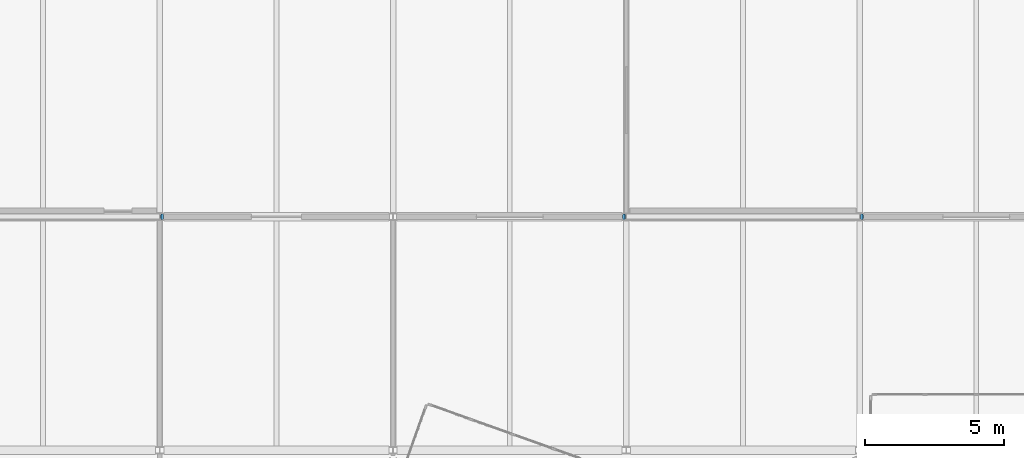
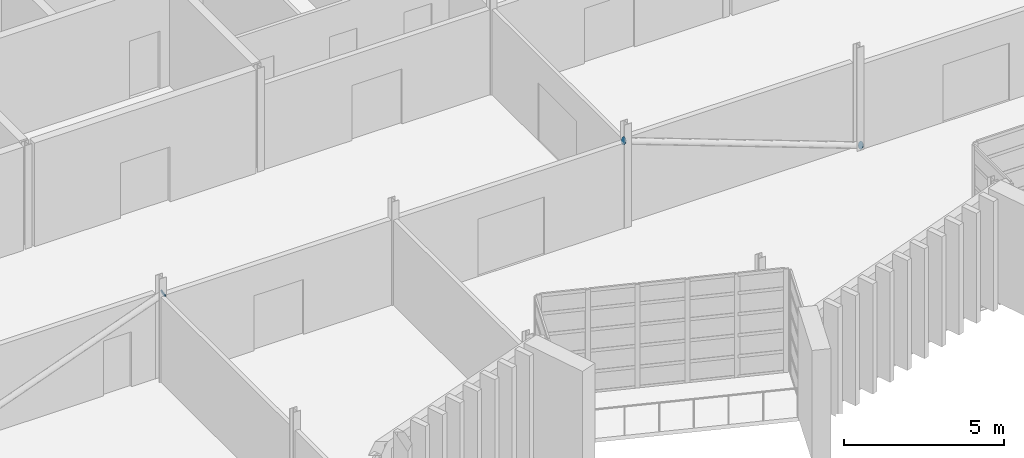
# One storey, part 74 of 88: 3 discrete accessories.
"""IFC4 building model written with IfcOpenShell, lengths in metres."""

from ifc_helpers import new_model, si_unit, direction, frame, origin, origin_2d, place, context, subcontext, project, spatial, circle, extrude, material, layer, layer_set, type_object, element, save


model = new_model("IFC4")

# Units and contexts
model_context = context("Model", 3, precision=1e-05, world=origin(), true_north=direction((0.0, 1.0)))
body_context = subcontext(model_context, "Body", "Model", "MODEL_VIEW")
ifc_project = project(units=[si_unit("LENGTHUNIT", "METRE"), si_unit("AREAUNIT", "SQUARE_METRE"), si_unit("VOLUMEUNIT", "CUBIC_METRE"), si_unit("PLANEANGLEUNIT", "RADIAN"), si_unit("MASSUNIT", "GRAM", prefix="KILO")], contexts=[model_context])

# Site, building, storey
site_placement = place(None, origin())
site = spatial("IfcSite", under=ifc_project, at=site_placement, CompositionType="ELEMENT")
building_placement = place(site_placement, origin())
building = spatial("IfcBuilding", under=site, at=building_placement, Name="Cresset Court Congress Hotel", CompositionType="ELEMENT")
storey_placement = place(building_placement, frame((0.0, 0.0, 14.39990234375)))
storey = spatial("IfcBuildingStorey", under=building, at=storey_placement, Name="L03", CompositionType="ELEMENT", Elevation=14.39990234375)

# Discrete accessories
ifc_material = material(Name="Structural steel Q355B", Category="steel")
ifc_layer = layer(ifc_material, 0.01611328125)
ifc_layer_set = layer_set([ifc_layer], Name="Brace end gusset 219x16")
discrete_accessory_type = type_object("IfcDiscreteAccessoryType", Name="Brace end gusset 219x16", PredefinedType="BRACKET", material=ifc_layer_set)
for number, where, z_axis, x_axis, name in (
    (1, (109.27490234375, 8.39990234375, 3.260009765625), (0.93756621841, 0.0, 0.347806822959), (0.0, 1.0, 0.0), "Brace end gusset L03 13-2"),
    (2, (125.925048828125, 8.39990234375, 3.260009765625), (-0.93756621841, 0.0, 0.347806822959), (0.0, -1.0, 0.0), "Brace end gusset L03 16-1"),
):
    element("IfcDiscreteAccessory", number, at=place(storey_placement, frame(where, z_axis=z_axis, x_axis=x_axis)), inside=storey, type_object=discrete_accessory_type, Name=name, PredefinedType="BRACKET", context=body_context, shape_type="SweptSolid", body=[
        extrude(circle(Radius=0.12939453125, at=origin_2d()), origin(), (0.0, 0.0, 1.0), 0.01611328125),
    ])
discrete_accessory_placement = place(storey_placement, frame((134.47509765625, 8.39990234375, 0.10009765625), z_axis=(0.935697286394, 0.0, -0.35280389487), x_axis=(0.0, 1.0, 0.0)))
element("IfcDiscreteAccessory", 3, at=discrete_accessory_placement, inside=storey, type_object=discrete_accessory_type, Name="Brace end gusset L03 16-2", PredefinedType="BRACKET", context=body_context, shape_type="SweptSolid", body=[
    extrude(circle(Radius=0.12939453125, at=origin_2d()), origin(), (0.0, 0.0, 1.0), 0.015869140625),
])

save(model, "model.ifc")
